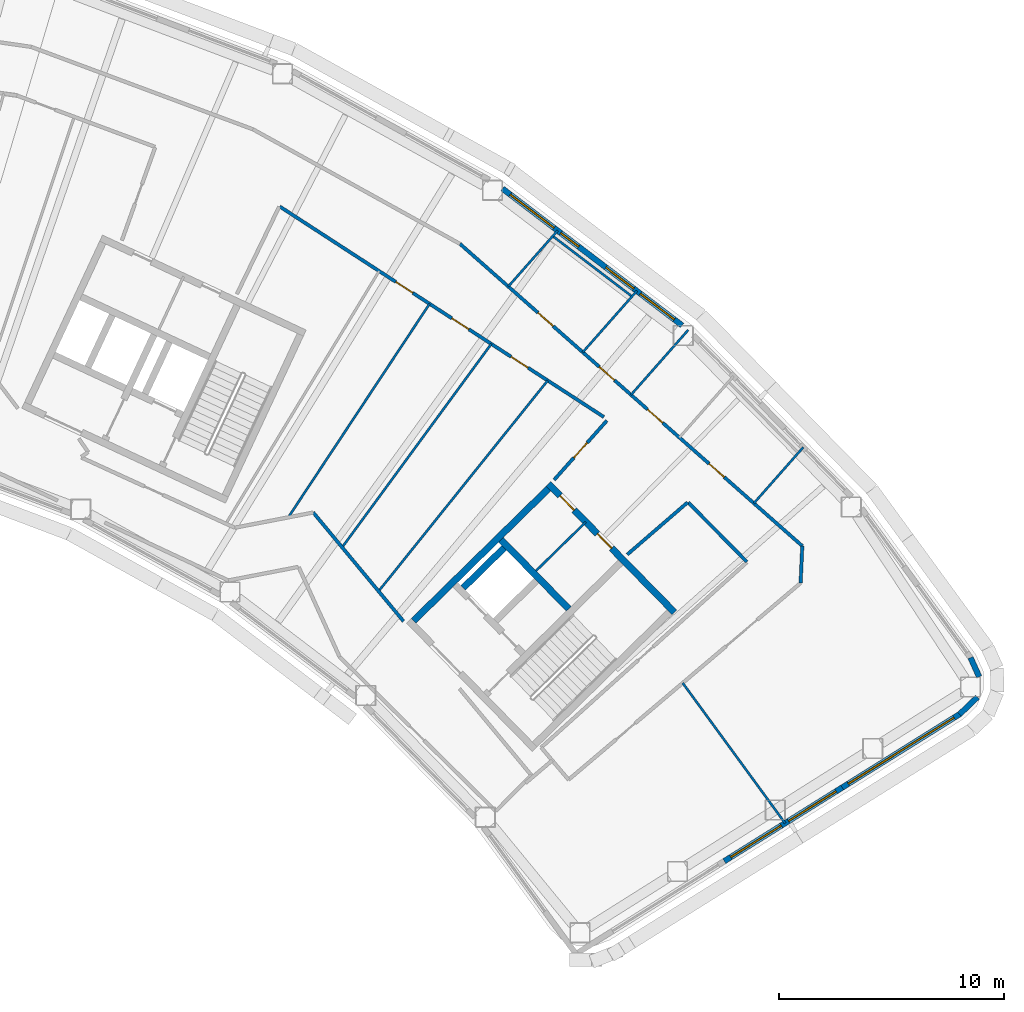
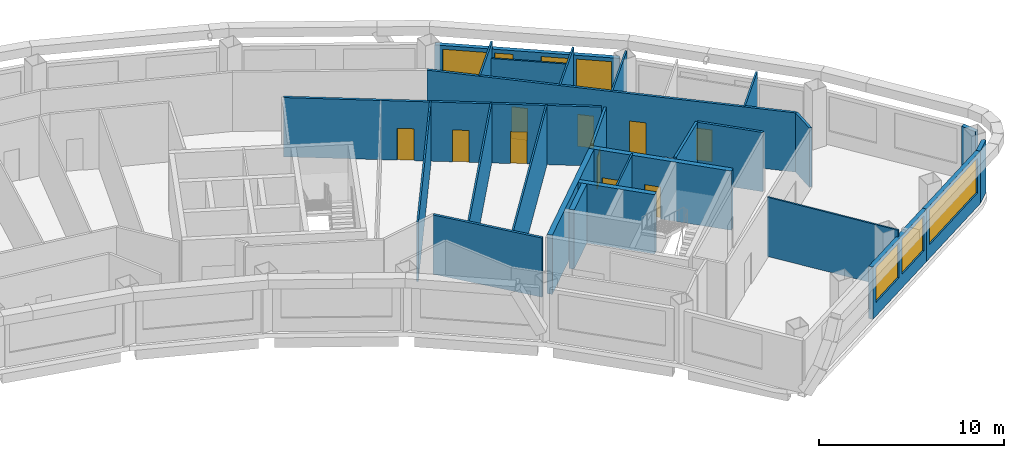
# One storey, part 10 of 17: 26 walls, 10 doors, 7 windows, 17 openings.
"""IFC4 building model written with IfcOpenShell, lengths in metres."""

import ifcopenshell
import ifcopenshell.guid

model = None  # the IFC model being written
_history = None  # IfcOwnerHistory: only IFC2X3 demands one
_inside = {}  # id of a spatial element -> (the spatial element, [elements in it])
_under = {}  # id of a project, library or spatial element -> (it, [spatial elements below it])
_declared = {}  # id of a project -> (the project, [libraries it declares])
_typed = {}  # id of a type object -> (the type object, [elements of that type])
_made_of = {}  # id of a material, layer set ... -> (it, [elements and type objects made of it])


def new_model(schema):
    """Start an empty IFC model of exactly this schema.

    Asked for "IFC4X3", IfcOpenShell would pick the latest addendum, in which some entities
    have other attributes; the version numbers below select the first issue.
    IFC2X3 requires an IfcOwnerHistory on every rooted entity: one is made here for all.
    """
    global model, _history
    if schema == "IFC4X3":
        model = ifcopenshell.file(schema_version=(4, 3, 0, 0))
    else:
        model = ifcopenshell.file(schema=schema)
    _inside.clear()
    _under.clear()
    _declared.clear()
    _typed.clear()
    _made_of.clear()
    _history = None
    if model.schema == "IFC2X3":
        org = make("IfcOrganization", Name="unknown")
        user = make(
            "IfcPersonAndOrganization",
            ThePerson=make("IfcPerson", FamilyName="unknown"),
            TheOrganization=org,
        )
        app = make(
            "IfcApplication",
            ApplicationDeveloper=org,
            Version="unknown",
            ApplicationFullName="unknown",
            ApplicationIdentifier="unknown",
        )
        _history = make(
            "IfcOwnerHistory",
            OwningUser=user,
            OwningApplication=app,
            ChangeAction="ADDED",
            CreationDate=0,
        )
    return model


def make(cls, **values):
    """One entity of the class cls with the attributes given. An attribute that is None is left unset."""
    return model.create_entity(
        cls, **{name: value for name, value in values.items() if value is not None}
    )


def rooted(cls, **values):
    """An entity with a GlobalId (a new one), such as an element, a storey or a relation."""
    return make(cls, GlobalId=ifcopenshell.guid.new(), OwnerHistory=_history, **values)


def si_unit(unit_type, name, prefix=None):
    """IfcSIUnit, for example si_unit("LENGTHUNIT", "METRE", prefix="MILLI")."""
    return make("IfcSIUnit", UnitType=unit_type, Prefix=prefix, Name=name)


def assignment(units):
    """IfcUnitAssignment: the units of a project."""
    return None if units is None else make("IfcUnitAssignment", Units=units)


def point(xyz):
    """IfcCartesianPoint."""
    return None if xyz is None else make("IfcCartesianPoint", Coordinates=xyz)


def direction(xyz):
    """IfcDirection."""
    return None if xyz is None else make("IfcDirection", DirectionRatios=xyz)


def frame(location, z_axis=None, x_axis=None):
    """IfcAxis2Placement3D, a coordinate frame: its origin and axes. An axis left out is left unset."""
    return make(
        "IfcAxis2Placement3D",
        Location=point(location),
        Axis=direction(z_axis),
        RefDirection=direction(x_axis),
    )


def frame_2d(location, x_axis=None):
    """IfcAxis2Placement2D, a coordinate frame in the plane: its origin and x axis."""
    return make(
        "IfcAxis2Placement2D", Location=point(location), RefDirection=direction(x_axis)
    )


def origin():
    """The frame at (0, 0, 0) with its axes left unset."""
    return frame((0.0, 0.0, 0.0))


def place(relative_to, where):
    """IfcLocalPlacement: puts the frame where relative to a parent placement (None: the world)."""
    return make(
        "IfcLocalPlacement", PlacementRelTo=relative_to, RelativePlacement=where
    )


def context(
    kind, dimensions, precision=None, world=None, true_north=None, identifier=None
):
    """IfcGeometricRepresentationContext, for example the 3D "Model" context."""
    return make(
        "IfcGeometricRepresentationContext",
        ContextIdentifier=identifier,
        ContextType=kind,
        CoordinateSpaceDimension=dimensions,
        Precision=precision,
        WorldCoordinateSystem=world,
        TrueNorth=true_north,
    )


def subcontext(parent, identifier, kind, view, scale=None):
    """IfcGeometricRepresentationSubContext, for example "Body" below "Model"."""
    return make(
        "IfcGeometricRepresentationSubContext",
        ContextIdentifier=identifier,
        ContextType=kind,
        ParentContext=parent,
        TargetScale=scale,
        TargetView=view,
    )


def project(units=None, contexts=None):
    """IfcProject with its units and contexts."""
    return rooted(
        "IfcProject",
        Name="project",
        RepresentationContexts=contexts,
        UnitsInContext=assignment(units),
    )


def spatial(cls, under=None, at=None, **own):
    """A site, building, storey or space (cls), placed at a placement, below another one or the project."""
    s = rooted(cls, ObjectPlacement=at, **own)
    if under is not None:
        _under.setdefault(under.id(), (under, []))[1].append(s)
    return s


def profile(cls, at=None, kind="AREA", **sizes):
    """A parametric profile (cls). Its sizes go by their IFC names, for example OverallWidth=200.0."""
    return make(cls, ProfileType=kind, Position=at, **sizes)


def rectangle(**sizes):
    """IfcRectangleProfileDef."""
    return profile("IfcRectangleProfileDef", **sizes)


def extrude(swept, where, along, depth):
    """IfcExtrudedAreaSolid: the profile swept, set in the frame where, extruded along a direction by depth."""
    return make(
        "IfcExtrudedAreaSolid",
        SweptArea=swept,
        Position=where,
        ExtrudedDirection=direction(along),
        Depth=depth,
    )


def shape(context_of_items, identifier, shape_type, items):
    """IfcShapeRepresentation: the items that make up one representation, for example the "Body"."""
    return make(
        "IfcShapeRepresentation",
        ContextOfItems=context_of_items,
        RepresentationIdentifier=identifier,
        RepresentationType=shape_type,
        Items=items,
    )


def material(Name=None, Category=None):
    """IfcMaterial."""
    return make("IfcMaterial", Name=Name, Category=Category)


def layer(
    of_material, thickness, ventilated=None, Name=None, Category=None, Priority=None
):
    """IfcMaterialLayer: one layer of a wall or slab, of a material (None: an air gap)."""
    return make(
        "IfcMaterialLayer",
        Material=of_material,
        LayerThickness=thickness,
        IsVentilated=ventilated,
        Name=Name,
        Category=Category,
        Priority=Priority,
    )


def layer_set(layers, Name=None):
    """IfcMaterialLayerSet."""
    return make("IfcMaterialLayerSet", MaterialLayers=layers, LayerSetName=Name)


def made_of(thing, what):
    """Note that an element or type object is made of a material, layer set ...; save() writes the relation."""
    if what is not None:
        _made_of.setdefault(what.id(), (what, []))[1].append(thing)
    return thing


def type_object(cls, material=None, **own):
    """A type object (cls), such as IfcWallType, which elements share."""
    return made_of(rooted(cls, **own), material)


def element(
    cls,
    number,
    at=None,
    inside=None,
    cuts=None,
    type_object=None,
    material=None,
    context=None,
    identifier="Body",
    shape_type=None,
    held_by="IfcProductDefinitionShape",
    body=None,
    shapes=None,
    **own,
):
    """One element of the class cls, such as IfcWall. Its Tag is "e" and its number.

    at: its placement. inside: the storey or other place that contains it. cuts: it is an
    opening in that element (IfcRelVoidsElement). A single representation is given by context,
    identifier, shape_type and body (its items); several are given by shapes. held_by: the class
    of the entity that holds the representations. save() writes the other relations.
    """
    e = rooted(cls, Tag="e%d" % number, ObjectPlacement=at, **own)
    if body is not None:
        shapes = [shape(context, identifier, shape_type, body)]
    if shapes is not None:
        e.Representation = make(held_by, Representations=shapes)
    if inside is not None:
        _inside.setdefault(inside.id(), (inside, []))[1].append(e)
    if cuts is not None:
        rooted(
            "IfcRelVoidsElement", RelatingBuildingElement=cuts, RelatedOpeningElement=e
        )
    if type_object is not None:
        _typed.setdefault(type_object.id(), (type_object, []))[1].append(e)
    return made_of(e, material)


def fill(opening, filler):
    """IfcRelFillsElement: the door or window that sits in an opening."""
    return rooted(
        "IfcRelFillsElement",
        RelatingOpeningElement=opening,
        RelatedBuildingElement=filler,
    )


def aggregate(whole, parts):
    """IfcRelAggregates: a whole, such as a stair, and the parts it consists of."""
    return rooted("IfcRelAggregates", RelatingObject=whole, RelatedObjects=parts)


def save(model, path):
    """Write the relations noted so far, then the file.

    IfcRelAggregates (storeys below a building ...), IfcRelContainedInSpatialStructure (elements
    in a storey), IfcRelDefinesByType, IfcRelAssociatesMaterial and IfcRelDeclares: one each for
    every whole, place, type object, material and project.
    """
    for whole, parts in _under.values():
        aggregate(whole, parts)
    for where, things in _inside.values():
        rooted(
            "IfcRelContainedInSpatialStructure",
            RelatedElements=things,
            RelatingStructure=where,
        )
    for kind, things in _typed.values():
        rooted("IfcRelDefinesByType", RelatedObjects=things, RelatingType=kind)
    for what, things in _made_of.values():
        rooted("IfcRelAssociatesMaterial", RelatedObjects=things, RelatingMaterial=what)
    for by, libraries in _declared.values():
        rooted("IfcRelDeclares", RelatingContext=by, RelatedDefinitions=libraries)
    model.write(path)


model = new_model("IFC4")

# Units and contexts
model_context = context("Model", 3, precision=1e-05, world=origin(), true_north=direction((0.0, 1.0)))
body_context = subcontext(model_context, "Body", "Model", "MODEL_VIEW")
ifc_project = project(units=[si_unit("LENGTHUNIT", "METRE"), si_unit("AREAUNIT", "SQUARE_METRE"), si_unit("VOLUMEUNIT", "CUBIC_METRE"), si_unit("PLANEANGLEUNIT", "RADIAN"), si_unit("MASSUNIT", "GRAM", prefix="KILO")], contexts=[model_context])

# Site, building, storey
site_placement = place(None, origin())
site = spatial("IfcSite", under=ifc_project, at=site_placement, CompositionType="ELEMENT")
building_placement = place(site_placement, origin())
building = spatial("IfcBuilding", under=site, at=building_placement, Name="Tuul Gate Civic Tower", CompositionType="ELEMENT")
storey_placement = place(building_placement, frame((0.0, 0.0, 222.10009765625)))
storey = spatial("IfcBuildingStorey", under=building, at=storey_placement, Name="Level 50", CompositionType="ELEMENT", Elevation=222.10009765625)

# Wall
ifc_material_1 = material(Name="Concrete C50/60", Category="concrete")
ifc_layer_1 = layer(ifc_material_1, 0.300048828125)
ifc_layer_set_1 = layer_set([ifc_layer_1], Name="Concrete C50/60")
wall_type_1 = type_object("IfcWallType", Name="Core wall C50/60", PredefinedType="SHEAR", material=ifc_layer_set_1)
wall_1_placement = place(storey_placement, frame((49.737060546875, -12.0849609375, 0.0), z_axis=(0.0, 0.0, 1.0), x_axis=(-0.700002721075, 0.714140175657, 0.0)))
element("IfcWall", 1, at=wall_1_placement, inside=storey, type_object=wall_type_1, Name="Core wall", PredefinedType="SHEAR", context=body_context, shape_type="SweptSolid", body=[
    extrude(rectangle(XDim=4.300048828125, YDim=0.300048828125, at=frame_2d((2.14990234375, 0.0))), origin(), (0.0, 0.0, 1.0), 3.89990234375),
])

# Wall, openings, doors
wall_2_placement = place(storey_placement, frame((54.43798828125, -12.23779296875, 0.0), z_axis=(0.0, 0.0, 1.0), x_axis=(-0.700021979774, 0.714121297703, 0.0)))
wall_2 = element("IfcWall", 2, at=wall_2_placement, inside=storey, type_object=wall_type_1, Name="Core wall", PredefinedType="SHEAR", context=body_context, shape_type="SweptSolid", body=[
    extrude(rectangle(XDim=8.0, YDim=0.300048828125, at=frame_2d((4.0, 0.0))), origin(), (0.0, 0.0, 1.0), 3.89990234375),
])
opening_1_placement = place(wall_2_placement, frame((3.987548828125, 0.0, 0.0)))
opening_1 = element("IfcOpeningElement", 3, at=opening_1_placement, cuts=wall_2, Name="Opening R-D45", PredefinedType="OPENING", context=body_context, shape_type="SweptSolid", body=[
    extrude(rectangle(XDim=0.89990234375, YDim=2.10009765625, at=frame_2d((0.449951171875, 1.050048828125))), frame((0.0, 0.16015625, 0.0), z_axis=(0.0, -1.0, 0.0), x_axis=(1.0, 0.0, 0.0)), (0.0, 0.0, 1.0), 0.320068359375),
])
opening_2_placement = place(wall_2_placement, frame((6.362548828125, 0.0, 0.0)))
opening_2 = element("IfcOpeningElement", 4, at=opening_2_placement, cuts=wall_2, Name="Opening R-D46", PredefinedType="OPENING", context=body_context, shape_type="SweptSolid", body=[
    extrude(rectangle(XDim=0.89990234375, YDim=2.10009765625, at=frame_2d((0.449951171875, 1.050048828125))), frame((0.0, 0.16015625, 0.0), z_axis=(0.0, -1.0, 0.0), x_axis=(1.0, 0.0, 0.0)), (0.0, 0.0, 1.0), 0.320068359375),
])
ifc_material_2 = material(Name="Timber door leaf", Category="wood")
door_type = type_object("IfcDoorType", Name="Door D09", OperationType="NOTDEFINED", PredefinedType="DOOR", material=ifc_material_2)
door_1_placement = place(opening_1_placement, origin())
door_1 = element("IfcDoor", 5, at=door_1_placement, inside=storey, type_object=door_type, Name="Door R-D45", OperationType="SINGLE_SWING_LEFT", OverallHeight=2.10009765625, OverallWidth=0.89990234375, PredefinedType="DOOR", context=body_context, shape_type="SweptSolid", body=[
    extrude(rectangle(XDim=0.89990234375, YDim=2.10009765625, at=frame_2d((0.449951171875, 1.050048828125))), frame((0.0, 0.02490234375, 0.0), z_axis=(0.0, -1.0, 0.0), x_axis=(1.0, 0.0, 0.0)), (0.0, 0.0, 1.0), 0.050048828125),
])
fill(opening_1, door_1)
door_2_placement = place(opening_2_placement, origin())
door_2 = element("IfcDoor", 6, at=door_2_placement, inside=storey, type_object=door_type, Name="Door R-D46", OperationType="SINGLE_SWING_LEFT", OverallHeight=2.10009765625, OverallWidth=0.89990234375, PredefinedType="DOOR", context=body_context, shape_type="SweptSolid", body=[
    extrude(rectangle(XDim=0.89990234375, YDim=2.10009765625, at=frame_2d((0.449951171875, 1.050048828125))), frame((0.0, 0.02490234375, 0.0), z_axis=(0.0, -1.0, 0.0), x_axis=(1.0, 0.0, 0.0)), (0.0, 0.0, 1.0), 0.050048828125),
])
fill(opening_2, door_2)

# Walls
wall_3_placement = place(storey_placement, frame((45.0439453125, -11.154052734375, 0.0), z_axis=(0.0, 0.0, 1.0), x_axis=(0.714108498262, 0.700035036773, 0.0)))
element("IfcWall", 7, at=wall_3_placement, inside=storey, type_object=wall_type_1, Name="Core wall", PredefinedType="SHEAR", context=body_context, shape_type="SweptSolid", body=[
    extrude(rectangle(XDim=2.550048828125, YDim=0.300048828125, at=frame_2d((1.27490234375, 0.0))), origin(), (0.0, 0.0, 1.0), 3.89990234375),
])
wall_4_placement = place(storey_placement, frame((42.837158203125, -12.616943359375, 0.0), z_axis=(0.0, 0.0, 1.0), x_axis=(0.714119844755, 0.700023461983, 0.0)))
element("IfcWall", 8, at=wall_4_placement, inside=storey, type_object=wall_type_1, Name="Core wall", PredefinedType="SHEAR", context=body_context, shape_type="SweptSolid", body=[
    extrude(rectangle(XDim=8.39990234375, YDim=0.300048828125, at=frame_2d((4.199951171875, 0.0))), origin(), (0.0, 0.0, 1.0), 3.89990234375),
])

# Wall, openings, doors
ifc_material_3 = material(Name="Gypsum board partition")
ifc_layer_2 = layer(ifc_material_3, 0.14990234375)
ifc_layer_set_2 = layer_set([ifc_layer_2], Name="Gypsum board partition")
wall_type_2 = type_object("IfcWallType", Name="Corridor wall P150", PredefinedType="PARTITIONING", material=ifc_layer_set_2)
wall_5_placement = place(storey_placement, frame((44.901611328125, 4.151611328125, 0.0), z_axis=(0.0, 0.0, 1.0), x_axis=(0.749748397093, -0.661723009315, 0.0)))
wall_5 = element("IfcWall", 9, at=wall_5_placement, inside=storey, type_object=wall_type_2, Name="p002", PredefinedType="PARTITIONING", context=body_context, shape_type="SweptSolid", body=[
    extrude(rectangle(XDim=20.310546875, YDim=0.14990234375, at=frame_2d((10.1552734375, 0.0))), origin(), (0.0, 0.0, 1.0), 3.89990234375),
])
opening_3_placement = place(wall_5_placement, frame((14.778564453125, 0.0, 0.0)))
opening_3 = element("IfcOpeningElement", 10, at=opening_3_placement, cuts=wall_5, Name="Opening R-D01", PredefinedType="OPENING", context=body_context, shape_type="SweptSolid", body=[
    extrude(rectangle(XDim=0.89990234375, YDim=2.10009765625, at=frame_2d((0.449951171875, 1.050048828125))), frame((0.0, 0.0849609375, 0.0), z_axis=(0.0, -1.0, 0.0), x_axis=(1.0, 0.0, 0.0)), (0.0, 0.0, 1.0), 0.169921875),
])
opening_4_placement = place(wall_5_placement, frame((4.6240234375, 0.0, 0.0)))
opening_4 = element("IfcOpeningElement", 11, at=opening_4_placement, cuts=wall_5, Name="Opening R-D02", PredefinedType="OPENING", context=body_context, shape_type="SweptSolid", body=[
    extrude(rectangle(XDim=0.89990234375, YDim=2.10009765625, at=frame_2d((0.449951171875, 1.050048828125))), frame((0.0, 0.0849609375, 0.0), z_axis=(0.0, -1.0, 0.0), x_axis=(1.0, 0.0, 0.0)), (0.0, 0.0, 1.0), 0.169921875),
])
opening_5_placement = place(wall_5_placement, frame((11.13232421875, 0.0, 0.0)))
opening_5 = element("IfcOpeningElement", 12, at=opening_5_placement, cuts=wall_5, Name="Opening R-D40", PredefinedType="OPENING", context=body_context, shape_type="SweptSolid", body=[
    extrude(rectangle(XDim=0.89990234375, YDim=2.10009765625, at=frame_2d((0.449951171875, 1.050048828125))), frame((0.0, 0.0849609375, 0.0), z_axis=(0.0, -1.0, 0.0), x_axis=(1.0, 0.0, 0.0)), (0.0, 0.0, 1.0), 0.169921875),
])
opening_6_placement = place(wall_5_placement, frame((8.26611328125, 0.0, 0.0)))
opening_6 = element("IfcOpeningElement", 13, at=opening_6_placement, cuts=wall_5, Name="Opening R-D41", PredefinedType="OPENING", context=body_context, shape_type="SweptSolid", body=[
    extrude(rectangle(XDim=0.89990234375, YDim=2.10009765625, at=frame_2d((0.449951171875, 1.050048828125))), frame((0.0, 0.0849609375, 0.0), z_axis=(0.0, -1.0, 0.0), x_axis=(1.0, 0.0, 0.0)), (0.0, 0.0, 1.0), 0.169921875),
])
door_3_placement = place(opening_3_placement, origin())
door_3 = element("IfcDoor", 14, at=door_3_placement, inside=storey, type_object=door_type, Name="Door R-D01", OperationType="SINGLE_SWING_RIGHT", OverallHeight=2.10009765625, OverallWidth=0.89990234375, PredefinedType="DOOR", context=body_context, shape_type="SweptSolid", body=[
    extrude(rectangle(XDim=0.89990234375, YDim=2.10009765625, at=frame_2d((0.449951171875, 1.050048828125))), frame((0.0, 0.02490234375, 0.0), z_axis=(0.0, -1.0, 0.0), x_axis=(1.0, 0.0, 0.0)), (0.0, 0.0, 1.0), 0.050048828125),
])
fill(opening_3, door_3)
door_4_placement = place(opening_4_placement, origin())
door_4 = element("IfcDoor", 15, at=door_4_placement, inside=storey, type_object=door_type, Name="Door R-D02", OperationType="SINGLE_SWING_RIGHT", OverallHeight=2.10009765625, OverallWidth=0.89990234375, PredefinedType="DOOR", context=body_context, shape_type="SweptSolid", body=[
    extrude(rectangle(XDim=0.89990234375, YDim=2.10009765625, at=frame_2d((0.449951171875, 1.050048828125))), frame((0.0, 0.02490234375, 0.0), z_axis=(0.0, -1.0, 0.0), x_axis=(1.0, 0.0, 0.0)), (0.0, 0.0, 1.0), 0.050048828125),
])
fill(opening_4, door_4)
door_5_placement = place(opening_5_placement, origin())
door_5 = element("IfcDoor", 16, at=door_5_placement, inside=storey, type_object=door_type, Name="Door R-D40", OperationType="SINGLE_SWING_RIGHT", OverallHeight=2.10009765625, OverallWidth=0.89990234375, PredefinedType="DOOR", context=body_context, shape_type="SweptSolid", body=[
    extrude(rectangle(XDim=0.89990234375, YDim=2.10009765625, at=frame_2d((0.449951171875, 1.050048828125))), frame((0.0, 0.02490234375, 0.0), z_axis=(0.0, -1.0, 0.0), x_axis=(1.0, 0.0, 0.0)), (0.0, 0.0, 1.0), 0.050048828125),
])
fill(opening_5, door_5)
door_6_placement = place(opening_6_placement, origin())
door_6 = element("IfcDoor", 17, at=door_6_placement, inside=storey, type_object=door_type, Name="Door R-D41", OperationType="SINGLE_SWING_RIGHT", OverallHeight=2.10009765625, OverallWidth=0.89990234375, PredefinedType="DOOR", context=body_context, shape_type="SweptSolid", body=[
    extrude(rectangle(XDim=0.89990234375, YDim=2.10009765625, at=frame_2d((0.449951171875, 1.050048828125))), frame((0.0, 0.02490234375, 0.0), z_axis=(0.0, -1.0, 0.0), x_axis=(1.0, 0.0, 0.0)), (0.0, 0.0, 1.0), 0.050048828125),
])
fill(opening_6, door_6)

# Walls
wall_6_placement = place(storey_placement, frame((38.372314453125, -7.80126953125, 0.0), z_axis=(0.0, 0.0, 1.0), x_axis=(0.638685522196, -0.769467870504, 0.0)))
element("IfcWall", 18, at=wall_6_placement, inside=storey, type_object=wall_type_2, Name="p042", PredefinedType="PARTITIONING", context=body_context, shape_type="SweptSolid", body=[
    extrude(rectangle(XDim=6.285400390625, YDim=0.14990234375, at=frame_2d((3.142578125, 0.0))), origin(), (0.0, 0.0, 1.0), 3.89990234375),
])
wall_7_placement = place(storey_placement, frame((52.342041015625, -9.67041015625, 0.0), z_axis=(0.0, 0.0, 1.0), x_axis=(0.756530576772, 0.653958321615, 0.0)))
element("IfcWall", 19, at=wall_7_placement, inside=storey, type_object=wall_type_2, Name="p045", PredefinedType="PARTITIONING", context=body_context, shape_type="SweptSolid", body=[
    extrude(rectangle(XDim=3.548828125, YDim=0.14990234375, at=frame_2d((1.7744140625, 0.0))), origin(), (0.0, 0.0, 1.0), 3.89990234375),
])
wall_8_placement = place(storey_placement, frame((55.054931640625, -7.350830078125, 0.0), z_axis=(0.0, 0.0, 1.0), x_axis=(0.702549843229, -0.711634539478, 0.0)))
element("IfcWall", 20, at=wall_8_placement, inside=storey, type_object=wall_type_2, Name="p046", PredefinedType="PARTITIONING", context=body_context, shape_type="SweptSolid", body=[
    extrude(rectangle(XDim=3.70849609375, YDim=0.14990234375, at=frame_2d((1.854248046875, 0.0))), origin(), (0.0, 0.0, 1.0), 3.89990234375),
])

# Wall, openings, doors
wall_9_placement = place(storey_placement, frame((36.884521484375, 5.811767578125, 0.0), z_axis=(0.0, 0.0, 1.0), x_axis=(0.838708980569, -0.544579880195, 0.0)))
wall_9 = element("IfcWall", 21, at=wall_9_placement, inside=storey, type_object=wall_type_2, Name="p050", PredefinedType="PARTITIONING", context=body_context, shape_type="SweptSolid", body=[
    extrude(rectangle(XDim=17.187744140625, YDim=0.14990234375, at=frame_2d((8.59375, 0.0))), origin(), (0.0, 0.0, 1.0), 3.89990234375),
])
opening_7_placement = place(wall_9_placement, frame((12.264404296875, 0.0, 0.0)))
opening_7 = element("IfcOpeningElement", 22, at=opening_7_placement, cuts=wall_9, Name="Opening R-D13", PredefinedType="OPENING", context=body_context, shape_type="SweptSolid", body=[
    extrude(rectangle(XDim=0.89990234375, YDim=2.10009765625, at=frame_2d((0.449951171875, 1.050048828125))), frame((0.0, 0.0849609375, 0.0), z_axis=(0.0, -1.0, 0.0), x_axis=(1.0, 0.0, 0.0)), (0.0, 0.0, 1.0), 0.169921875),
])
opening_8_placement = place(wall_9_placement, frame((9.13134765625, 0.0, 0.0)))
opening_8 = element("IfcOpeningElement", 23, at=opening_8_placement, cuts=wall_9, Name="Opening R-D14", PredefinedType="OPENING", context=body_context, shape_type="SweptSolid", body=[
    extrude(rectangle(XDim=0.89990234375, YDim=2.10009765625, at=frame_2d((0.449951171875, 1.050048828125))), frame((0.0, 0.0849609375, 0.0), z_axis=(0.0, -1.0, 0.0), x_axis=(1.0, 0.0, 0.0)), (0.0, 0.0, 1.0), 0.169921875),
])
opening_9_placement = place(wall_9_placement, frame((6.156005859375, 0.0, 0.0)))
opening_9 = element("IfcOpeningElement", 24, at=opening_9_placement, cuts=wall_9, Name="Opening R-D15", PredefinedType="OPENING", context=body_context, shape_type="SweptSolid", body=[
    extrude(rectangle(XDim=0.89990234375, YDim=2.10009765625, at=frame_2d((0.449951171875, 1.050048828125))), frame((0.0, 0.0849609375, 0.0), z_axis=(0.0, -1.0, 0.0), x_axis=(1.0, 0.0, 0.0)), (0.0, 0.0, 1.0), 0.169921875),
])
door_7_placement = place(opening_7_placement, frame((0.89990234375, 0.0, 0.0), z_axis=(0.0, 0.0, 1.0), x_axis=(-1.0, 0.0, 0.0)))
door_7 = element("IfcDoor", 25, at=door_7_placement, inside=storey, type_object=door_type, Name="Door R-D13", OperationType="SINGLE_SWING_LEFT", OverallHeight=2.10009765625, OverallWidth=0.89990234375, PredefinedType="DOOR", context=body_context, shape_type="SweptSolid", body=[
    extrude(rectangle(XDim=0.89990234375, YDim=2.10009765625, at=frame_2d((0.449951171875, 1.050048828125))), frame((0.0, 0.02490234375, 0.0), z_axis=(0.0, -1.0, 0.0), x_axis=(1.0, 0.0, 0.0)), (0.0, 0.0, 1.0), 0.050048828125),
])
fill(opening_7, door_7)
door_8_placement = place(opening_8_placement, frame((0.89990234375, 0.0, 0.0), z_axis=(0.0, 0.0, 1.0), x_axis=(-1.0, 0.0, 0.0)))
door_8 = element("IfcDoor", 26, at=door_8_placement, inside=storey, type_object=door_type, Name="Door R-D14", OperationType="SINGLE_SWING_LEFT", OverallHeight=2.10009765625, OverallWidth=0.89990234375, PredefinedType="DOOR", context=body_context, shape_type="SweptSolid", body=[
    extrude(rectangle(XDim=0.89990234375, YDim=2.10009765625, at=frame_2d((0.449951171875, 1.050048828125))), frame((0.0, 0.02490234375, 0.0), z_axis=(0.0, -1.0, 0.0), x_axis=(1.0, 0.0, 0.0)), (0.0, 0.0, 1.0), 0.050048828125),
])
fill(opening_8, door_8)
door_9_placement = place(opening_9_placement, frame((0.89990234375, 0.0, 0.0), z_axis=(0.0, 0.0, 1.0), x_axis=(-1.0, 0.0, 0.0)))
door_9 = element("IfcDoor", 27, at=door_9_placement, inside=storey, type_object=door_type, Name="Door R-D15", OperationType="SINGLE_SWING_LEFT", OverallHeight=2.10009765625, OverallWidth=0.89990234375, PredefinedType="DOOR", context=body_context, shape_type="SweptSolid", body=[
    extrude(rectangle(XDim=0.89990234375, YDim=2.10009765625, at=frame_2d((0.449951171875, 1.050048828125))), frame((0.0, 0.02490234375, 0.0), z_axis=(0.0, -1.0, 0.0), x_axis=(1.0, 0.0, 0.0)), (0.0, 0.0, 1.0), 0.050048828125),
])
fill(opening_9, door_9)

# Wall, opening, door
wall_10_placement = place(storey_placement, frame((49.08740234375, -6.349853515625, 0.0), z_axis=(0.0, 0.0, 1.0), x_axis=(0.664668424828, 0.747138464434, 0.0)))
wall_10 = element("IfcWall", 28, at=wall_10_placement, inside=storey, type_object=wall_type_2, Name="p051", PredefinedType="PARTITIONING", context=body_context, shape_type="SweptSolid", body=[
    extrude(rectangle(XDim=3.53173828125, YDim=0.14990234375, at=frame_2d((1.765869140625, 0.0))), origin(), (0.0, 0.0, 1.0), 3.89990234375),
])
opening_10_placement = place(wall_10_placement, frame((1.31591796875, 0.0, 0.0)))
opening_10 = element("IfcOpeningElement", 29, at=opening_10_placement, cuts=wall_10, Name="Opening R-D12", PredefinedType="OPENING", context=body_context, shape_type="SweptSolid", body=[
    extrude(rectangle(XDim=0.89990234375, YDim=2.10009765625, at=frame_2d((0.449951171875, 1.050048828125))), frame((0.0, 0.0849609375, 0.0), z_axis=(0.0, -1.0, 0.0), x_axis=(1.0, 0.0, 0.0)), (0.0, 0.0, 1.0), 0.169921875),
])
door_10_placement = place(opening_10_placement, origin())
door_10 = element("IfcDoor", 30, at=door_10_placement, inside=storey, type_object=door_type, Name="Door R-D12", OperationType="SINGLE_SWING_RIGHT", OverallHeight=2.10009765625, OverallWidth=0.89990234375, PredefinedType="DOOR", context=body_context, shape_type="SweptSolid", body=[
    extrude(rectangle(XDim=0.89990234375, YDim=2.10009765625, at=frame_2d((0.449951171875, 1.050048828125))), frame((0.0, 0.02490234375, 0.0), z_axis=(0.0, -1.0, 0.0), x_axis=(1.0, 0.0, 0.0)), (0.0, 0.0, 1.0), 0.050048828125),
])
fill(opening_10, door_10)

# Walls
wall_11_placement = place(storey_placement, frame((60.05615234375, -10.93701171875, 0.0), z_axis=(0.0, 0.0, 1.0), x_axis=(0.044380927641, 0.999014681204, 0.0)))
element("IfcWall", 31, at=wall_11_placement, inside=storey, type_object=wall_type_2, Name="p109", PredefinedType="PARTITIONING", context=body_context, shape_type="SweptSolid", body=[
    extrude(rectangle(XDim=1.650390625, YDim=0.14990234375, at=frame_2d((0.8251953125, 0.0))), origin(), (0.0, 0.0, 1.0), 3.89990234375),
])
ifc_material_4 = material(Name="Precast concrete C40/50", Category="concrete")
ifc_layer_3 = layer(ifc_material_4, 0.25)
ifc_layer_set_3 = layer_set([ifc_layer_3], Name="Precast concrete C40/50")
wall_type_3 = type_object("IfcWallType", Name="External wall", PredefinedType="STANDARD", material=ifc_layer_set_3)
wall_12_placement = place(storey_placement, frame((67.129638671875, -16.775634765625, 0.0), z_axis=(0.0, 0.0, 1.0), x_axis=(0.722112640162, 0.691775494592, 0.0)))
element("IfcWall", 32, at=wall_12_placement, inside=storey, type_object=wall_type_3, Name="External wall", PredefinedType="STANDARD", context=body_context, shape_type="SweptSolid", body=[
    extrude(rectangle(XDim=1.1025390625, YDim=0.25, at=frame_2d((0.55126953125, 0.0))), origin(), (0.0, 0.0, 1.0), 3.449951171875),
])
wall_13_placement = place(storey_placement, frame((68.0029296875, -15.113037109375, 0.0), z_axis=(0.0, 0.0, 1.0), x_axis=(-0.411921142617, 0.911219497303, 0.0)))
element("IfcWall", 33, at=wall_13_placement, inside=storey, type_object=wall_type_3, Name="External wall", PredefinedType="STANDARD", context=body_context, shape_type="SweptSolid", body=[
    extrude(rectangle(XDim=0.938720703125, YDim=0.25, at=frame_2d((0.46923828125, 0.0))), origin(), (0.0, 0.0, 1.0), 3.449951171875),
])

# Wall, openings, windows
wall_14_placement = place(storey_placement, frame((54.782470703125, 0.52490234375, 0.0), z_axis=(0.0, 0.0, 1.0), x_axis=(-0.795600211162, 0.605822006862, 0.0)))
wall_14 = element("IfcWall", 34, at=wall_14_placement, inside=storey, type_object=wall_type_3, Name="External wall", PredefinedType="STANDARD", context=body_context, shape_type="SweptSolid", body=[
    extrude(rectangle(XDim=10.043212890625, YDim=0.25, at=frame_2d((5.021484375, 0.0))), origin(), (0.0, 0.0, 1.0), 3.449951171875),
])
opening_11_placement = place(wall_14_placement, frame((5.784912109375, 0.0, 0.89990234375)))
opening_11 = element("IfcOpeningElement", 35, at=opening_11_placement, cuts=wall_14, Name="Opening W57", PredefinedType="OPENING", context=body_context, shape_type="SweptSolid", body=[
    extrude(rectangle(XDim=1.0, YDim=2.300048828125, at=frame_2d((0.5, 1.14990234375))), frame((0.0, 0.135009765625, 0.0), z_axis=(0.0, -1.0, 0.0), x_axis=(1.0, 0.0, 0.0)), (0.0, 0.0, 1.0), 0.27001953125),
])
opening_12_placement = place(wall_14_placement, frame((7.159912109375, 0.0, 0.89990234375)))
opening_12 = element("IfcOpeningElement", 36, at=opening_12_placement, cuts=wall_14, Name="Opening W56", PredefinedType="OPENING", context=body_context, shape_type="SweptSolid", body=[
    extrude(rectangle(XDim=2.449951171875, YDim=2.300048828125, at=frame_2d((1.22509765625, 1.14990234375))), frame((0.0, 0.135009765625, 0.0), z_axis=(0.0, -1.0, 0.0), x_axis=(1.0, 0.0, 0.0)), (0.0, 0.0, 1.0), 0.27001953125),
])
opening_13_placement = place(wall_14_placement, frame((0.433349609375, 0.0, 0.89990234375)))
opening_13 = element("IfcOpeningElement", 37, at=opening_13_placement, cuts=wall_14, Name="Opening W59", PredefinedType="OPENING", context=body_context, shape_type="SweptSolid", body=[
    extrude(rectangle(XDim=1.89990234375, YDim=2.300048828125, at=frame_2d((0.949951171875, 1.14990234375))), frame((0.0, 0.135009765625, 0.0), z_axis=(0.0, -1.0, 0.0), x_axis=(1.0, 0.0, 0.0)), (0.0, 0.0, 1.0), 0.27001953125),
])
opening_14_placement = place(wall_14_placement, frame((2.708251953125, 0.0, 0.89990234375)))
opening_14 = element("IfcOpeningElement", 38, at=opening_14_placement, cuts=wall_14, Name="Opening W60", PredefinedType="OPENING", context=body_context, shape_type="SweptSolid", body=[
    extrude(rectangle(XDim=1.550048828125, YDim=2.300048828125, at=frame_2d((0.77490234375, 1.14990234375))), frame((0.0, 0.135009765625, 0.0), z_axis=(0.0, -1.0, 0.0), x_axis=(1.0, 0.0, 0.0)), (0.0, 0.0, 1.0), 0.27001953125),
])
ifc_material_5 = material(Name="Glass", Category="glass")
window_type_1 = type_object("IfcWindowType", Name="Window 1000 x 2300", PartitioningType="SINGLE_PANEL", PredefinedType="WINDOW", material=ifc_material_5)
window_1_placement = place(opening_11_placement, origin())
window_1 = element("IfcWindow", 39, at=window_1_placement, inside=storey, type_object=window_type_1, Name="Window", OverallHeight=2.300048828125, OverallWidth=1.0, PartitioningType="SINGLE_PANEL", PredefinedType="WINDOW", context=body_context, shape_type="SweptSolid", body=[
    extrude(rectangle(XDim=1.0, YDim=2.300048828125, at=frame_2d((0.5, 1.14990234375))), frame((0.0, 0.030029296875, 0.0), z_axis=(0.0, -1.0, 0.0), x_axis=(1.0, 0.0, 0.0)), (0.0, 0.0, 1.0), 0.06005859375),
])
fill(opening_11, window_1)
ifc_material_6 = material(Name="Glass", Category="glass")
window_type_2 = type_object("IfcWindowType", Name="Window 1550 x 2300", PartitioningType="SINGLE_PANEL", PredefinedType="WINDOW", material=ifc_material_6)
window_2_placement = place(opening_14_placement, origin())
window_2 = element("IfcWindow", 40, at=window_2_placement, inside=storey, type_object=window_type_2, Name="Window", OverallHeight=2.300048828125, OverallWidth=1.550048828125, PartitioningType="SINGLE_PANEL", PredefinedType="WINDOW", context=body_context, shape_type="SweptSolid", body=[
    extrude(rectangle(XDim=1.550048828125, YDim=2.300048828125, at=frame_2d((0.77490234375, 1.14990234375))), frame((0.0, 0.030029296875, 0.0), z_axis=(0.0, -1.0, 0.0), x_axis=(1.0, 0.0, 0.0)), (0.0, 0.0, 1.0), 0.06005859375),
])
fill(opening_14, window_2)
ifc_material_7 = material(Name="Glass", Category="glass")
window_type_3 = type_object("IfcWindowType", Name="Window 1900 x 2300", PartitioningType="SINGLE_PANEL", PredefinedType="WINDOW", material=ifc_material_7)
window_3_placement = place(opening_13_placement, origin())
window_3 = element("IfcWindow", 41, at=window_3_placement, inside=storey, type_object=window_type_3, Name="Window", OverallHeight=2.300048828125, OverallWidth=1.89990234375, PartitioningType="SINGLE_PANEL", PredefinedType="WINDOW", context=body_context, shape_type="SweptSolid", body=[
    extrude(rectangle(XDim=1.89990234375, YDim=2.300048828125, at=frame_2d((0.949951171875, 1.14990234375))), frame((0.0, 0.030029296875, 0.0), z_axis=(0.0, -1.0, 0.0), x_axis=(1.0, 0.0, 0.0)), (0.0, 0.0, 1.0), 0.06005859375),
])
fill(opening_13, window_3)
ifc_material_8 = material(Name="Glass", Category="glass")
window_type_4 = type_object("IfcWindowType", Name="Window 2450 x 2300", PartitioningType="SINGLE_PANEL", PredefinedType="WINDOW", material=ifc_material_8)
window_4_placement = place(opening_12_placement, origin())
window_4 = element("IfcWindow", 42, at=window_4_placement, inside=storey, type_object=window_type_4, Name="Window", OverallHeight=2.300048828125, OverallWidth=2.449951171875, PartitioningType="SINGLE_PANEL", PredefinedType="WINDOW", context=body_context, shape_type="SweptSolid", body=[
    extrude(rectangle(XDim=2.449951171875, YDim=2.300048828125, at=frame_2d((1.22509765625, 1.14990234375))), frame((0.0, 0.030029296875, 0.0), z_axis=(0.0, -1.0, 0.0), x_axis=(1.0, 0.0, 0.0)), (0.0, 0.0, 1.0), 0.06005859375),
])
fill(opening_12, window_4)

wall_15_placement = place(storey_placement, frame((56.6630859375, -23.312744140625, 0.0), z_axis=(0.0, 0.0, 1.0), x_axis=(0.848053758074, 0.529910203164, 0.0)))
wall_15 = element("IfcWall", 43, at=wall_15_placement, inside=storey, type_object=wall_type_3, Name="External wall", PredefinedType="STANDARD", context=body_context, shape_type="SweptSolid", body=[
    extrude(rectangle(XDim=6.182861328125, YDim=0.25, at=frame_2d((3.09130859375, 0.0))), origin(), (0.0, 0.0, 1.0), 3.449951171875),
])
opening_15_placement = place(wall_15_placement, frame((0.339111328125, 0.0, 0.89990234375)))
opening_15 = element("IfcOpeningElement", 44, at=opening_15_placement, cuts=wall_15, Name="Opening W37", PredefinedType="OPENING", context=body_context, shape_type="SweptSolid", body=[
    extrude(rectangle(XDim=2.64990234375, YDim=2.300048828125, at=frame_2d((1.324951171875, 1.14990234375))), frame((0.0, 0.135009765625, 0.0), z_axis=(0.0, -1.0, 0.0), x_axis=(1.0, 0.0, 0.0)), (0.0, 0.0, 1.0), 0.27001953125),
])
opening_16_placement = place(wall_15_placement, frame((3.3642578125, 0.0, 0.89990234375)))
opening_16 = element("IfcOpeningElement", 45, at=opening_16_placement, cuts=wall_15, Name="Opening W38", PredefinedType="OPENING", context=body_context, shape_type="SweptSolid", body=[
    extrude(rectangle(XDim=2.5, YDim=2.300048828125, at=frame_2d((1.25, 1.14990234375))), frame((0.0, 0.135009765625, 0.0), z_axis=(0.0, -1.0, 0.0), x_axis=(1.0, 0.0, 0.0)), (0.0, 0.0, 1.0), 0.27001953125),
])
ifc_material_9 = material(Name="Glass", Category="glass")
window_type_5 = type_object("IfcWindowType", Name="Window 2500 x 2300", PartitioningType="SINGLE_PANEL", PredefinedType="WINDOW", material=ifc_material_9)
window_5_placement = place(opening_16_placement, origin())
window_5 = element("IfcWindow", 46, at=window_5_placement, inside=storey, type_object=window_type_5, Name="Window", OverallHeight=2.300048828125, OverallWidth=2.5, PartitioningType="SINGLE_PANEL", PredefinedType="WINDOW", context=body_context, shape_type="SweptSolid", body=[
    extrude(rectangle(XDim=2.5, YDim=2.300048828125, at=frame_2d((1.25, 1.14990234375))), frame((0.0, 0.030029296875, 0.0), z_axis=(0.0, -1.0, 0.0), x_axis=(1.0, 0.0, 0.0)), (0.0, 0.0, 1.0), 0.06005859375),
])
fill(opening_16, window_5)
ifc_material_10 = material(Name="Glass", Category="glass")
window_type_6 = type_object("IfcWindowType", Name="Window 2650 x 2300", PartitioningType="SINGLE_PANEL", PredefinedType="WINDOW", material=ifc_material_10)
window_6_placement = place(opening_15_placement, origin())
window_6 = element("IfcWindow", 47, at=window_6_placement, inside=storey, type_object=window_type_6, Name="Window", OverallHeight=2.300048828125, OverallWidth=2.64990234375, PartitioningType="SINGLE_PANEL", PredefinedType="WINDOW", context=body_context, shape_type="SweptSolid", body=[
    extrude(rectangle(XDim=2.64990234375, YDim=2.300048828125, at=frame_2d((1.324951171875, 1.14990234375))), frame((0.0, 0.030029296875, 0.0), z_axis=(0.0, -1.0, 0.0), x_axis=(1.0, 0.0, 0.0)), (0.0, 0.0, 1.0), 0.06005859375),
])
fill(opening_15, window_6)

# Wall, opening, window
wall_16_placement = place(storey_placement, frame((61.906494140625, -20.036376953125, 0.0), z_axis=(0.0, 0.0, 1.0), x_axis=(0.848042669488, 0.529927948619, 0.0)))
wall_16 = element("IfcWall", 48, at=wall_16_placement, inside=storey, type_object=wall_type_3, Name="External wall", PredefinedType="STANDARD", context=body_context, shape_type="SweptSolid", body=[
    extrude(rectangle(XDim=6.1826171875, YDim=0.25, at=frame_2d((3.09130859375, 0.0))), origin(), (0.0, 0.0, 1.0), 3.449951171875),
])
opening_17_placement = place(wall_16_placement, frame((0.31640625, 0.0, 0.89990234375)))
opening_17 = element("IfcOpeningElement", 49, at=opening_17_placement, cuts=wall_16, Name="Opening W24", PredefinedType="OPENING", context=body_context, shape_type="SweptSolid", body=[
    extrude(rectangle(XDim=5.550048828125, YDim=2.300048828125, at=frame_2d((2.77490234375, 1.14990234375))), frame((0.0, 0.135009765625, 0.0), z_axis=(0.0, -1.0, 0.0), x_axis=(1.0, 0.0, 0.0)), (0.0, 0.0, 1.0), 0.27001953125),
])
ifc_material_11 = material(Name="Glass", Category="glass")
window_type_7 = type_object("IfcWindowType", Name="Window W24 5550 x 2300", PartitioningType="SINGLE_PANEL", PredefinedType="WINDOW", material=ifc_material_11)
window_7_placement = place(opening_17_placement, origin())
window_7 = element("IfcWindow", 50, at=window_7_placement, inside=storey, type_object=window_type_7, Name="Window", OverallHeight=2.300048828125, OverallWidth=5.550048828125, PartitioningType="SINGLE_PANEL", PredefinedType="WINDOW", context=body_context, shape_type="SweptSolid", body=[
    extrude(rectangle(XDim=5.550048828125, YDim=2.300048828125, at=frame_2d((2.77490234375, 1.14990234375))), frame((0.0, 0.030029296875, 0.0), z_axis=(0.0, -1.0, 0.0), x_axis=(1.0, 0.0, 0.0)), (0.0, 0.0, 1.0), 0.06005859375),
])
fill(opening_17, window_7)

# Walls
ifc_material_12 = material(Name="Gypsum board partition")
ifc_layer_4 = layer(ifc_material_12, 0.10009765625)
ifc_layer_set_4 = layer_set([ifc_layer_4], Name="Gypsum board partition")
wall_type_4 = type_object("IfcWallType", Name="Partition P100", PredefinedType="PARTITIONING", material=ifc_layer_set_4)
wall_17_placement = place(storey_placement, frame((57.97607421875, -7.387939453125, 0.0), z_axis=(0.0, 0.0, 1.0), x_axis=(0.661699438217, 0.74976920013, 0.0)))
element("IfcWall", 51, at=wall_17_placement, inside=storey, type_object=wall_type_4, Name="p001", PredefinedType="PARTITIONING", context=body_context, shape_type="SweptSolid", body=[
    extrude(rectangle(XDim=3.321044921875, YDim=0.10009765625, at=frame_2d((1.66064453125, 0.0))), origin(), (0.0, 0.0, 1.0), 3.89990234375),
])
wall_18_placement = place(storey_placement, frame((47.049072265625, 2.25634765625, 0.0), z_axis=(0.0, 0.0, 1.0), x_axis=(0.661662967546, 0.749801385287, 0.0)))
element("IfcWall", 52, at=wall_18_placement, inside=storey, type_object=wall_type_4, Name="p004", PredefinedType="PARTITIONING", context=body_context, shape_type="SweptSolid", body=[
    extrude(rectangle(XDim=3.3212890625, YDim=0.10009765625, at=frame_2d((1.66064453125, 0.0))), origin(), (0.0, 0.0, 1.0), 3.89990234375),
])
wall_19_placement = place(storey_placement, frame((50.36279296875, -0.66845703125, 0.0), z_axis=(0.0, 0.0, 1.0), x_axis=(0.661759098604, 0.749716543378, 0.0)))
element("IfcWall", 53, at=wall_19_placement, inside=storey, type_object=wall_type_4, Name="p005", PredefinedType="PARTITIONING", context=body_context, shape_type="SweptSolid", body=[
    extrude(rectangle(XDim=3.6416015625, YDim=0.10009765625, at=frame_2d((1.82080078125, 0.0))), origin(), (0.0, 0.0, 1.0), 3.89990234375),
])
wall_20_placement = place(storey_placement, frame((41.2783203125, -11.30224609375, 0.0), z_axis=(0.0, 0.0, 1.0), x_axis=(0.625912806386, 0.779893043181, 0.0)))
element("IfcWall", 54, at=wall_20_placement, inside=storey, type_object=wall_type_4, Name="p049", PredefinedType="PARTITIONING", context=body_context, shape_type="SweptSolid", body=[
    extrude(rectangle(XDim=12.021484375, YDim=0.10009765625, at=frame_2d((6.0107421875, 0.0))), origin(), (0.0, 0.0, 1.0), 3.89990234375),
])
wall_21_placement = place(storey_placement, frame((39.65673828125, -9.348876953125, 0.0), z_axis=(0.0, 0.0, 1.0), x_axis=(0.591312739588, 0.806442337679, 0.0)))
element("IfcWall", 55, at=wall_21_placement, inside=storey, type_object=wall_type_4, Name="p052", PredefinedType="PARTITIONING", context=body_context, shape_type="SweptSolid", body=[
    extrude(rectangle(XDim=11.2236328125, YDim=0.10009765625, at=frame_2d((5.61181640625, 0.0))), origin(), (0.0, 0.0, 1.0), 3.89990234375),
])
wall_22_placement = place(storey_placement, frame((37.258056640625, -8.016357421875, 0.0), z_axis=(0.0, 0.0, 1.0), x_axis=(0.55192825399, 0.833891601137, 0.0)))
element("IfcWall", 56, at=wall_22_placement, inside=storey, type_object=wall_type_4, Name="p053", PredefinedType="PARTITIONING", context=body_context, shape_type="SweptSolid", body=[
    extrude(rectangle(XDim=11.394775390625, YDim=0.10009765625, at=frame_2d((5.697265625, 0.0))), origin(), (0.0, 0.0, 1.0), 3.89990234375),
])
wall_23_placement = place(storey_placement, frame((54.80908203125, -15.384765625, 0.0), z_axis=(0.0, 0.0, 1.0), x_axis=(0.589805959619, -0.807545001841, 0.0)))
element("IfcWall", 57, at=wall_23_placement, inside=storey, type_object=wall_type_4, Name="p108", PredefinedType="PARTITIONING", context=body_context, shape_type="SweptSolid", body=[
    extrude(rectangle(XDim=7.73095703125, YDim=0.10009765625, at=frame_2d((3.865478515625, 0.0))), origin(), (0.0, 0.0, 1.0), 3.89990234375),
])
wall_24_placement = place(storey_placement, frame((52.509521484375, -2.56298828125, 0.0), z_axis=(0.0, 0.0, 1.0), x_axis=(0.661713940465, 0.749756401102, 0.0)))
element("IfcWall", 58, at=wall_24_placement, inside=storey, type_object=wall_type_4, Name="p111", PredefinedType="PARTITIONING", context=body_context, shape_type="SweptSolid", body=[
    extrude(rectangle(XDim=3.848876953125, YDim=0.10009765625, at=frame_2d((1.92431640625, 0.0))), origin(), (0.0, 0.0, 1.0), 3.89990234375),
])
wall_25_placement = place(storey_placement, frame((48.28662109375, -10.390869140625, 0.0), z_axis=(0.0, 0.0, 1.0), x_axis=(0.714159293908, 0.699983216173, 0.0)))
element("IfcWall", 59, at=wall_25_placement, inside=storey, type_object=wall_type_4, Name="bE1-BAND-0", PredefinedType="PARTITIONING", context=body_context, shape_type="SweptSolid", body=[
    extrude(rectangle(XDim=3.099853515625, YDim=0.10009765625, at=frame_2d((1.5498046875, 0.0))), origin(), (0.0, 0.0, 1.0), 3.89990234375),
])
ifc_material_13 = material(Name="Gypsum board partition")
ifc_layer_5 = layer(ifc_material_13, 0.10009765625)
ifc_layer_set_5 = layer_set([ifc_layer_5], Name="Gypsum board partition")
wall_type_5 = type_object("IfcWallType", Name="Partition P100 3000 HIGH", PredefinedType="PARTITIONING", material=ifc_layer_set_5)
wall_26_placement = place(storey_placement, frame((49.02783203125, 4.498291015625, 0.0), z_axis=(0.0, 0.0, 1.0), x_axis=(0.795628963332, -0.605784246005, 0.0)))
element("IfcWall", 60, at=wall_26_placement, inside=storey, type_object=wall_type_5, Name="p113", PredefinedType="PARTITIONING", context=body_context, shape_type="SweptSolid", body=[
    extrude(rectangle(XDim=4.431640625, YDim=0.10009765625, at=frame_2d((2.2158203125, 0.0))), origin(), (0.0, 0.0, 1.0), 3.0),
])

save(model, "model.ifc")
